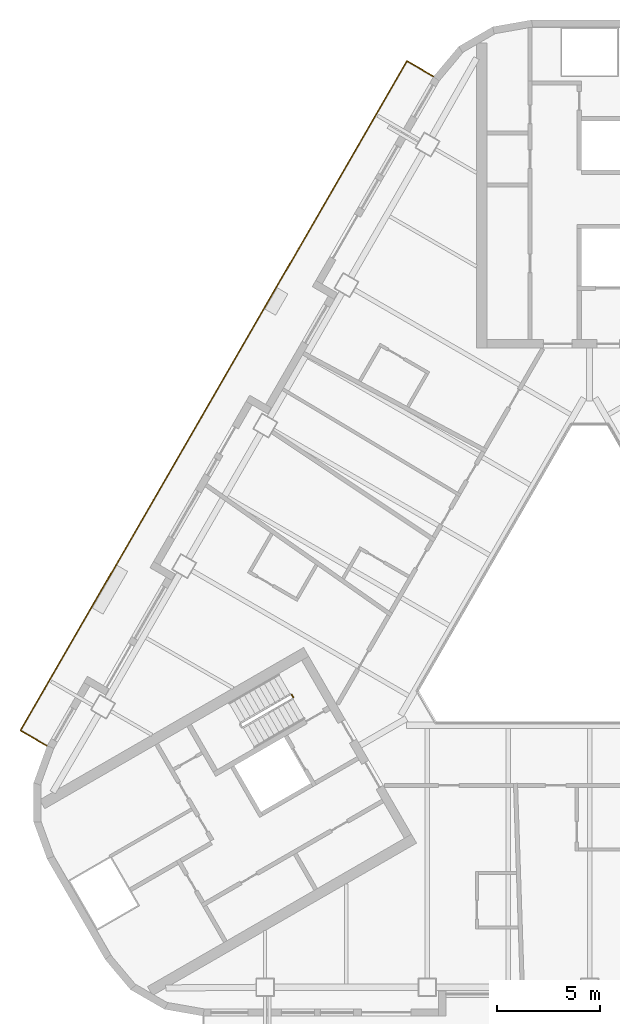
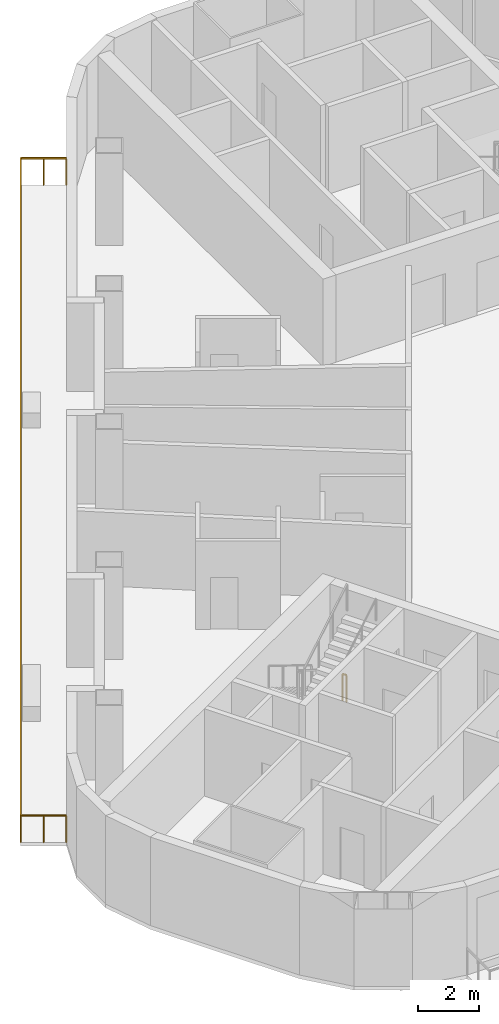
# One storey, part 10 of 13: 2 railings.
"""IFC4 building model written with IfcOpenShell, lengths in metres."""

from ifc_helpers import new_model, si_unit, direction, frame, origin, origin_2d, place, context, subcontext, project, spatial, rectangle, extrude, material, type_object, element, save


model = new_model("IFC4")

# Units and contexts
model_context = context("Model", 3, precision=1e-05, world=origin(), true_north=direction((0.0, 1.0)))
body_context = subcontext(model_context, "Body", "Model", "MODEL_VIEW")
ifc_project = project(units=[si_unit("LENGTHUNIT", "METRE"), si_unit("AREAUNIT", "SQUARE_METRE"), si_unit("VOLUMEUNIT", "CUBIC_METRE"), si_unit("PLANEANGLEUNIT", "RADIAN"), si_unit("MASSUNIT", "GRAM", prefix="KILO")], contexts=[model_context])

# Site, building, storey
site_placement = place(None, origin())
site = spatial("IfcSite", under=ifc_project, at=site_placement, CompositionType="ELEMENT")
building_placement = place(site_placement, origin())
building = spatial("IfcBuilding", under=site, at=building_placement, Name="Apuvela Tower Hotel", CompositionType="ELEMENT")
storey_placement = place(building_placement, frame((0.0, 0.0, 94.60009765625)))
storey = spatial("IfcBuildingStorey", under=building, at=storey_placement, Name="L21", CompositionType="ELEMENT", Elevation=94.60009765625)

# Railings
ifc_material_1 = material(Name="Steel S275 balustrade", Category="steel")
railing_type_1 = type_object("IfcRailingType", Name="COR-GUARD-1100", PredefinedType="GUARDRAIL", material=ifc_material_1)
railing_1_placement = place(storey_placement, frame((-14.500732421875, -3.984130859375, 0.0)))
element("IfcRailing", 1, at=railing_1_placement, inside=storey, type_object=railing_type_1, Name="L21 ST2 stair guard 4", PredefinedType="GUARDRAIL", context=body_context, shape_type="SweptSolid", body=[
    extrude(rectangle(XDim=0.048095703125, YDim=0.048095703125, at=origin_2d()), frame((0.0, 0.0, 1.076171875), z_axis=(0.499816412211, -0.866131372301, 0.0), x_axis=(0.866131372301, 0.499816412211, 0.0)), (0.0, 0.0, 1.0), 0.14990234375),
    extrude(rectangle(XDim=0.0419921875, YDim=0.0419921875, at=origin_2d()), origin(), (0.0, 0.0, 1.0), 1.052001953125),
    extrude(rectangle(XDim=0.0419921875, YDim=0.0419921875, at=origin_2d()), frame((0.074951171875, -0.1298828125, 0.0)), (0.0, 0.0, 1.0), 1.052001953125),
])
ifc_material_2 = material(Name="Stainless steel 316 rail with laminated glass infill", Category="steel")
railing_type_2 = type_object("IfcRailingType", Name="ENV-GUARD-1100", PredefinedType="GUARDRAIL", material=ifc_material_2)
railing_2_placement = place(storey_placement, frame((-7.59228515625, 26.110107421875, 0.0)))
element("IfcRailing", 2, at=railing_2_placement, inside=storey, type_object=railing_type_2, Name="Balcony guard NW L21", PredefinedType="GUARDRAIL", context=body_context, shape_type="SweptSolid", body=[
    extrude(rectangle(XDim=0.050048828125, YDim=0.050048828125, at=origin_2d()), frame((0.0, 0.0, 1.0751953125), z_axis=(-0.86599040064, 0.500060622324, 0.0), x_axis=(-0.500060622324, -0.86599040064, 0.0)), (0.0, 0.0, 1.0), 1.499755859375),
    extrude(rectangle(XDim=0.050048828125, YDim=0.050048828125, at=origin_2d()), frame((-1.298828125, 0.75, 1.0751953125), z_axis=(-0.500000437506, -0.86602515119, 0.0), x_axis=(0.86602515119, -0.500000437506, 0.0)), (0.0, 0.0, 1.0), 37.6318359375),
    extrude(rectangle(XDim=0.050048828125, YDim=0.050048828125, at=origin_2d()), frame((-20.11474609375, -31.840087890625, 1.0751953125), z_axis=(0.866031096941, -0.499990139034, 0.0), x_axis=(0.499990139034, 0.866031096941, 0.0)), (0.0, 0.0, 1.0), 1.5),
    extrude(rectangle(XDim=0.0400390625, YDim=0.0400390625, at=origin_2d()), origin(), (0.0, 0.0, 1.0), 1.050048828125),
    extrude(rectangle(XDim=0.0400390625, YDim=0.0400390625, at=origin_2d()), frame((-0.6494140625, 0.375, 0.0)), (0.0, 0.0, 1.0), 1.050048828125),
    extrude(rectangle(XDim=0.0400390625, YDim=0.0400390625, at=origin_2d()), frame((-1.298828125, 0.75, 0.0)), (0.0, 0.0, 1.0), 1.050048828125),
    extrude(rectangle(XDim=0.0400390625, YDim=0.0400390625, at=origin_2d()), frame((-1.88671875, -0.2685546875, 0.0)), (0.0, 0.0, 1.0), 1.050048828125),
    extrude(rectangle(XDim=0.0400390625, YDim=0.0400390625, at=origin_2d()), frame((-2.474853515625, -1.286865234375, 0.0)), (0.0, 0.0, 1.0), 1.050048828125),
    extrude(rectangle(XDim=0.0400390625, YDim=0.0400390625, at=origin_2d()), frame((-3.062744140625, -2.305419921875, 0.0)), (0.0, 0.0, 1.0), 1.050048828125),
    extrude(rectangle(XDim=0.0400390625, YDim=0.0400390625, at=origin_2d()), frame((-3.65087890625, -3.32373046875, 0.0)), (0.0, 0.0, 1.0), 1.050048828125),
    extrude(rectangle(XDim=0.0400390625, YDim=0.0400390625, at=origin_2d()), frame((-4.23876953125, -4.34228515625, 0.0)), (0.0, 0.0, 1.0), 1.050048828125),
    extrude(rectangle(XDim=0.0400390625, YDim=0.0400390625, at=origin_2d()), frame((-4.826904296875, -5.360595703125, 0.0)), (0.0, 0.0, 1.0), 1.050048828125),
    extrude(rectangle(XDim=0.0400390625, YDim=0.0400390625, at=origin_2d()), frame((-5.414794921875, -6.379150390625, 0.0)), (0.0, 0.0, 1.0), 1.050048828125),
    extrude(rectangle(XDim=0.0400390625, YDim=0.0400390625, at=origin_2d()), frame((-6.0029296875, -7.3974609375, 0.0)), (0.0, 0.0, 1.0), 1.050048828125),
    extrude(rectangle(XDim=0.0400390625, YDim=0.0400390625, at=origin_2d()), frame((-6.5908203125, -8.416015625, 0.0)), (0.0, 0.0, 1.0), 1.050048828125),
    extrude(rectangle(XDim=0.0400390625, YDim=0.0400390625, at=origin_2d()), frame((-7.1787109375, -9.434326171875, 0.0)), (0.0, 0.0, 1.0), 1.050048828125),
    extrude(rectangle(XDim=0.0400390625, YDim=0.0400390625, at=origin_2d()), frame((-7.766845703125, -10.452880859375, 0.0)), (0.0, 0.0, 1.0), 1.050048828125),
    extrude(rectangle(XDim=0.0400390625, YDim=0.0400390625, at=origin_2d()), frame((-8.354736328125, -11.47119140625, 0.0)), (0.0, 0.0, 1.0), 1.050048828125),
    extrude(rectangle(XDim=0.0400390625, YDim=0.0400390625, at=origin_2d()), frame((-8.94287109375, -12.48974609375, 0.0)), (0.0, 0.0, 1.0), 1.050048828125),
    extrude(rectangle(XDim=0.0400390625, YDim=0.0400390625, at=origin_2d()), frame((-9.53076171875, -13.508056640625, 0.0)), (0.0, 0.0, 1.0), 1.050048828125),
    extrude(rectangle(XDim=0.0400390625, YDim=0.0400390625, at=origin_2d()), frame((-10.118896484375, -14.526611328125, 0.0)), (0.0, 0.0, 1.0), 1.050048828125),
    extrude(rectangle(XDim=0.0400390625, YDim=0.0400390625, at=origin_2d()), frame((-10.706787109375, -15.544921875, 0.0)), (0.0, 0.0, 1.0), 1.050048828125),
    extrude(rectangle(XDim=0.0400390625, YDim=0.0400390625, at=origin_2d()), frame((-11.294677734375, -16.5634765625, 0.0)), (0.0, 0.0, 1.0), 1.050048828125),
    extrude(rectangle(XDim=0.0400390625, YDim=0.0400390625, at=origin_2d()), frame((-11.8828125, -17.58203125, 0.0)), (0.0, 0.0, 1.0), 1.050048828125),
    extrude(rectangle(XDim=0.0400390625, YDim=0.0400390625, at=origin_2d()), frame((-12.470703125, -18.600341796875, 0.0)), (0.0, 0.0, 1.0), 1.050048828125),
    extrude(rectangle(XDim=0.0400390625, YDim=0.0400390625, at=origin_2d()), frame((-13.058837890625, -19.618896484375, 0.0)), (0.0, 0.0, 1.0), 1.050048828125),
    extrude(rectangle(XDim=0.0400390625, YDim=0.0400390625, at=origin_2d()), frame((-13.646728515625, -20.63720703125, 0.0)), (0.0, 0.0, 1.0), 1.050048828125),
    extrude(rectangle(XDim=0.0400390625, YDim=0.0400390625, at=origin_2d()), frame((-14.23486328125, -21.65576171875, 0.0)), (0.0, 0.0, 1.0), 1.050048828125),
    extrude(rectangle(XDim=0.0400390625, YDim=0.0400390625, at=origin_2d()), frame((-14.82275390625, -22.674072265625, 0.0)), (0.0, 0.0, 1.0), 1.050048828125),
    extrude(rectangle(XDim=0.0400390625, YDim=0.0400390625, at=origin_2d()), frame((-15.41064453125, -23.692626953125, 0.0)), (0.0, 0.0, 1.0), 1.050048828125),
    extrude(rectangle(XDim=0.0400390625, YDim=0.0400390625, at=origin_2d()), frame((-15.998779296875, -24.7109375, 0.0)), (0.0, 0.0, 1.0), 1.050048828125),
    extrude(rectangle(XDim=0.0400390625, YDim=0.0400390625, at=origin_2d()), frame((-16.586669921875, -25.7294921875, 0.0)), (0.0, 0.0, 1.0), 1.050048828125),
    extrude(rectangle(XDim=0.0400390625, YDim=0.0400390625, at=origin_2d()), frame((-17.1748046875, -26.747802734375, 0.0)), (0.0, 0.0, 1.0), 1.050048828125),
    extrude(rectangle(XDim=0.0400390625, YDim=0.0400390625, at=origin_2d()), frame((-17.7626953125, -27.766357421875, 0.0)), (0.0, 0.0, 1.0), 1.050048828125),
    extrude(rectangle(XDim=0.0400390625, YDim=0.0400390625, at=origin_2d()), frame((-18.350830078125, -28.78466796875, 0.0)), (0.0, 0.0, 1.0), 1.050048828125),
    extrude(rectangle(XDim=0.0400390625, YDim=0.0400390625, at=origin_2d()), frame((-18.938720703125, -29.80322265625, 0.0)), (0.0, 0.0, 1.0), 1.050048828125),
    extrude(rectangle(XDim=0.0400390625, YDim=0.0400390625, at=origin_2d()), frame((-19.52685546875, -30.821533203125, 0.0)), (0.0, 0.0, 1.0), 1.050048828125),
    extrude(rectangle(XDim=0.0400390625, YDim=0.0400390625, at=origin_2d()), frame((-20.11474609375, -31.840087890625, 0.0)), (0.0, 0.0, 1.0), 1.050048828125),
    extrude(rectangle(XDim=0.0400390625, YDim=0.0400390625, at=origin_2d()), frame((-19.46533203125, -32.215087890625, 0.0)), (0.0, 0.0, 1.0), 1.050048828125),
    extrude(rectangle(XDim=0.0400390625, YDim=0.0400390625, at=origin_2d()), frame((-18.815673828125, -32.590087890625, 0.0)), (0.0, 0.0, 1.0), 1.050048828125),
])

save(model, "model.ifc")
